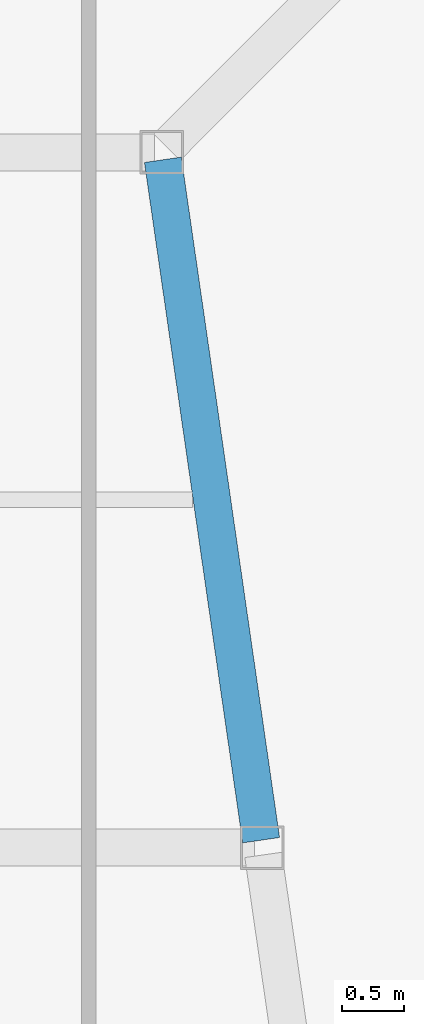
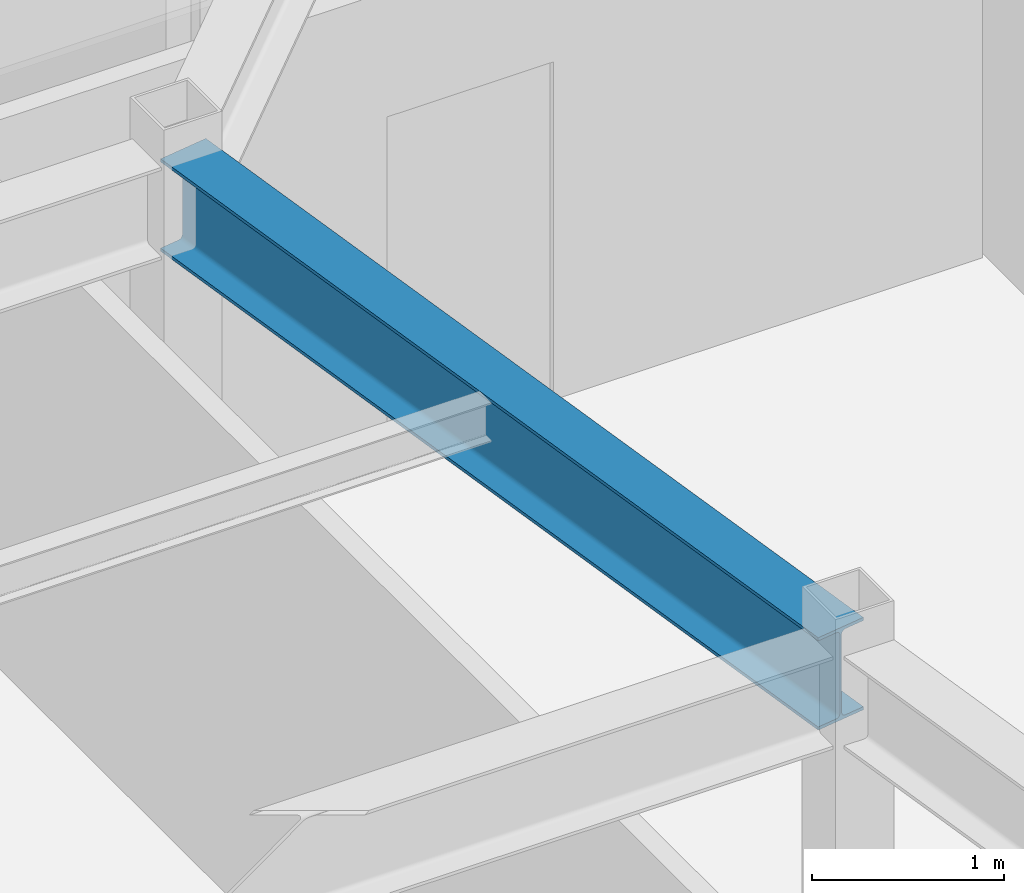
# One storey, part 6 of 28: 1 beam.
"""IFC4 building model written with IfcOpenShell, lengths in metres."""

from ifc_helpers import new_model, si_unit, direction, frame, origin, origin_2d, place, context, subcontext, project, spatial, i_section, extrude, material, material_profile, profile_set, type_object, element, save


model = new_model("IFC4")

# Units and contexts
model_context = context("Model", 3, precision=1e-05, world=origin(), true_north=direction((0.0, 1.0)))
body_context = subcontext(model_context, "Body", "Model", "MODEL_VIEW")
ifc_project = project(units=[si_unit("LENGTHUNIT", "METRE"), si_unit("AREAUNIT", "SQUARE_METRE"), si_unit("VOLUMEUNIT", "CUBIC_METRE"), si_unit("PLANEANGLEUNIT", "RADIAN"), si_unit("MASSUNIT", "GRAM", prefix="KILO")], contexts=[model_context])

# Site, building, storey
site_placement = place(None, origin())
site = spatial("IfcSite", under=ifc_project, at=site_placement, CompositionType="ELEMENT")
building_placement = place(site_placement, origin())
building = spatial("IfcBuilding", under=site, at=building_placement, Name="Saevonmaru Cultural Tower", CompositionType="ELEMENT")
storey_placement = place(building_placement, frame((0.0, 0.0, 253.39990234375)))
storey = spatial("IfcBuildingStorey", under=building, at=storey_placement, Name="L59", CompositionType="ELEMENT", Elevation=253.39990234375)

# Beam
ifc_material = material(Name="Steel SM355", Category="steel")
ifc_material_profile = material_profile(ifc_material, i_section(OverallWidth=0.300048828125, OverallDepth=0.587890625, WebThickness=0.011962890625, FlangeThickness=0.02001953125, FilletRadius=0.02392578125, at=origin_2d()), Name="H-588x300x12x20")
ifc_profile_set = profile_set([ifc_material_profile], Name="Steel SM355")
beam_type = type_object("IfcBeamType", Name="BM-G-H588", PredefinedType="BEAM", material=ifc_profile_set)
beam_placement = place(storey_placement, frame((19.6083984375, 32.059326171875, 3.256103515625), z_axis=(-0.142964121327, 0.989727871697, 0.0), x_axis=(-0.989727871697, -0.142964121327, 0.0)))
element("IfcBeam", 1, at=beam_placement, inside=storey, type_object=beam_type, Name="L59 West Atrium Girder 2", PredefinedType="BEAM", context=body_context, shape_type="SweptSolid", body=[
    extrude(i_section(OverallWidth=0.300048828125, OverallDepth=0.587890625, WebThickness=0.011962890625, FlangeThickness=0.02001953125, FilletRadius=0.02392578125, at=origin_2d()), origin(), (0.0, 0.0, 1.0), 5.5380859375),
])

save(model, "model.ifc")
